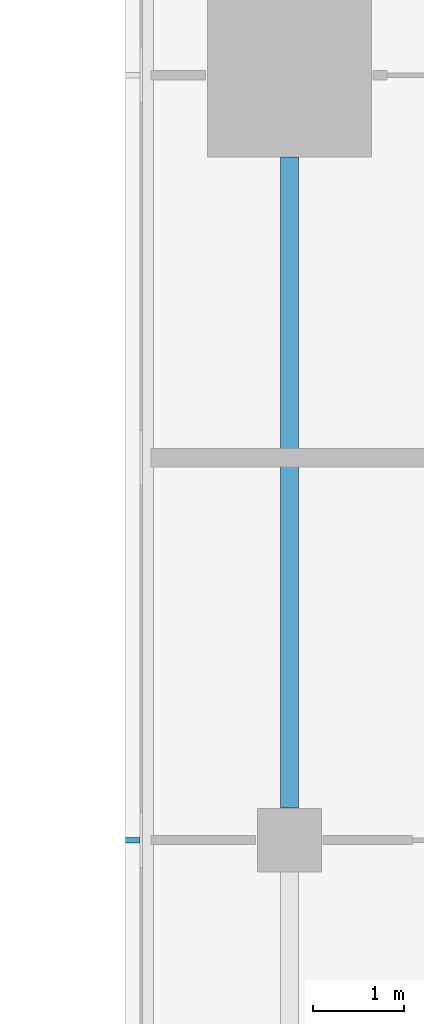
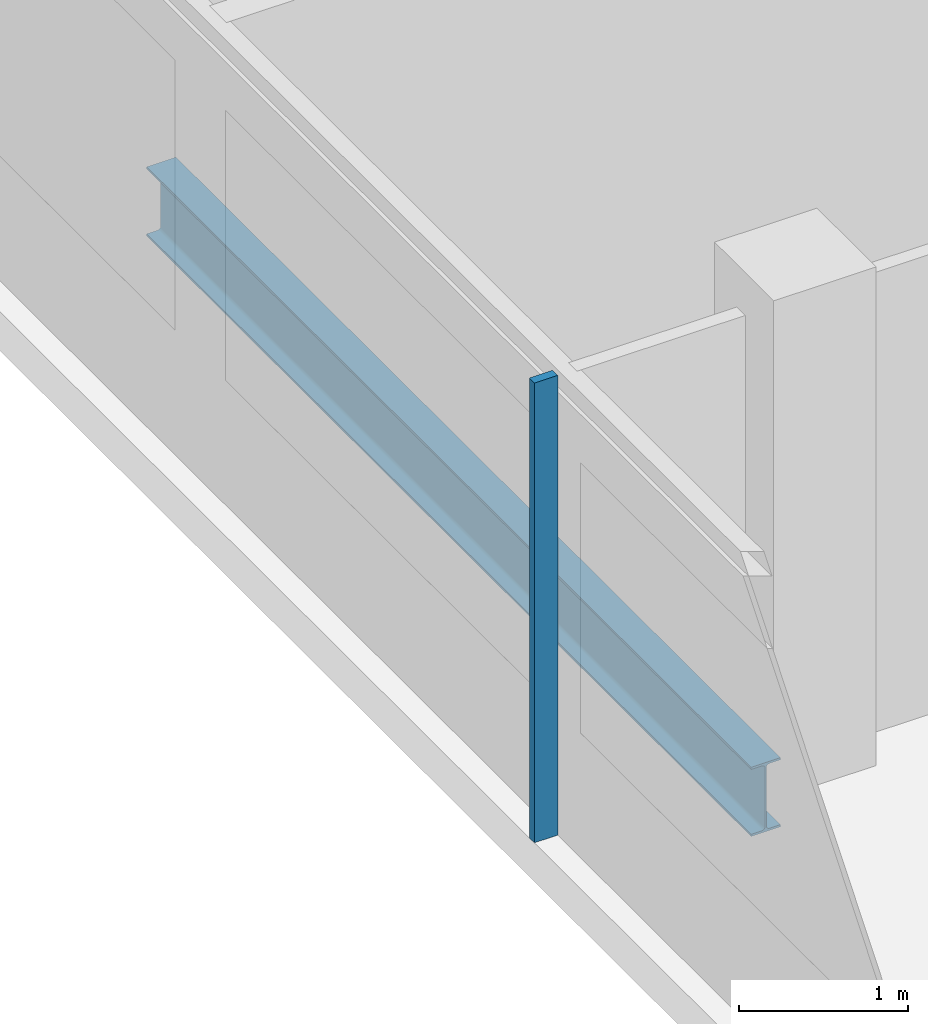
# One storey, part 4 of 29: 1 beam, 1 member, 1 element without a shape of its own.
"""IFC4 building model written with IfcOpenShell, lengths in metres."""

from ifc_helpers import new_model, si_unit, direction, frame, origin, origin_2d, place, context, subcontext, project, spatial, rectangle, i_section, extrude, material, material_profile, profile_set, type_object, element, aggregate, save


model = new_model("IFC4")

# Units and contexts
model_context = context("Model", 3, precision=1e-05, world=origin(), true_north=direction((0.0, 1.0)))
body_context = subcontext(model_context, "Body", "Model", "MODEL_VIEW")
ifc_project = project(units=[si_unit("LENGTHUNIT", "METRE"), si_unit("AREAUNIT", "SQUARE_METRE"), si_unit("VOLUMEUNIT", "CUBIC_METRE"), si_unit("PLANEANGLEUNIT", "RADIAN"), si_unit("MASSUNIT", "GRAM", prefix="KILO")], contexts=[model_context])

# Site, building, storey
site_placement = place(None, origin())
site = spatial("IfcSite", under=ifc_project, at=site_placement, CompositionType="ELEMENT")
building_placement = place(site_placement, origin())
building = spatial("IfcBuilding", under=site, at=building_placement, Name="Saffron Gate Tower", CompositionType="ELEMENT")
storey_placement = place(building_placement, frame((0.0, 0.0, 187.050048828125)))
storey = spatial("IfcBuildingStorey", under=building, at=storey_placement, Name="L46", CompositionType="ELEMENT", Elevation=187.050048828125)

# Beam
ifc_material_1 = material(Name="Structural steel S355", Category="steel")
ifc_material_profile_1 = material_profile(ifc_material_1, i_section(OverallWidth=0.199951171875, OverallDepth=0.5, WebThickness=0.01025390625, FlangeThickness=0.01611328125, FilletRadius=0.02099609375, at=origin_2d()))
ifc_profile_set_1 = profile_set([ifc_material_profile_1], Name="Structural steel S355")
beam_type = type_object("IfcBeamType", Name="B11 IPE 500", PredefinedType="SPANDREL", material=ifc_profile_set_1)
beam_placement = place(storey_placement, frame((49.800048828125, 57.35009765625, -0.530029296875), z_axis=(0.0, 1.0, 0.0), x_axis=(-1.0, 0.0, 0.0)))
element("IfcBeam", 1, at=beam_placement, inside=storey, type_object=beam_type, Name="B11 SPANDREL BEAM", PredefinedType="SPANDREL", context=body_context, shape_type="SweptSolid", body=[
    extrude(i_section(OverallWidth=0.199951171875, OverallDepth=0.5, WebThickness=0.01025390625, FlangeThickness=0.01611328125, FilletRadius=0.02099609375, at=origin_2d()), origin(), (0.0, 0.0, 1.0), 7.14990234375),
])

# Curtain wall, member
ifc_material_2 = material(Name="Aluminium, bronze anodised", Category="aluminium")
curtain_wall_type = type_object("IfcCurtainWallType", Name="CWS2 curtain wall side facades", PredefinedType="NOTDEFINED", material=ifc_material_2)
curtain_wall_placement = place(storey_placement, origin())
curtain_wall = element("IfcCurtainWall", 2, at=curtain_wall_placement, inside=storey, type_object=curtain_wall_type, Name="CWS2 run 10", PredefinedType="NOTDEFINED")
ifc_material_profile_2 = material_profile(ifc_material_2, rectangle(XDim=0.159912109375, YDim=0.06005859375, at=origin_2d()))
ifc_profile_set_2 = profile_set([ifc_material_profile_2], Name="Aluminium, bronze anodised")
member_type = type_object("IfcMemberType", Name="CWS2 mullion 60x160", PredefinedType="MULLION", material=ifc_profile_set_2)
member_placement = place(storey_placement, frame((48.080078125, 57.0, 0.0), z_axis=(0.0, 0.0, 1.0), x_axis=(1.0, 0.0, 0.0)))
member = element("IfcMember", 3, at=member_placement, type_object=member_type, Name="CWS2 mullion 3", PredefinedType="MULLION", context=body_context, shape_type="SweptSolid", body=[
    extrude(rectangle(XDim=0.159912109375, YDim=0.06005859375, at=origin_2d()), origin(), (0.0, 0.0, 1.0), 3.320068359375),
])
aggregate(curtain_wall, [member])

save(model, "model.ifc")
